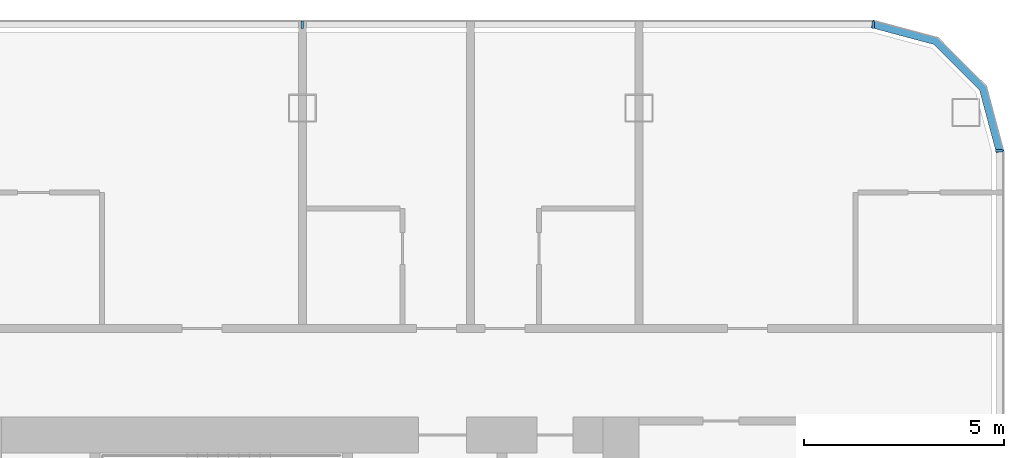
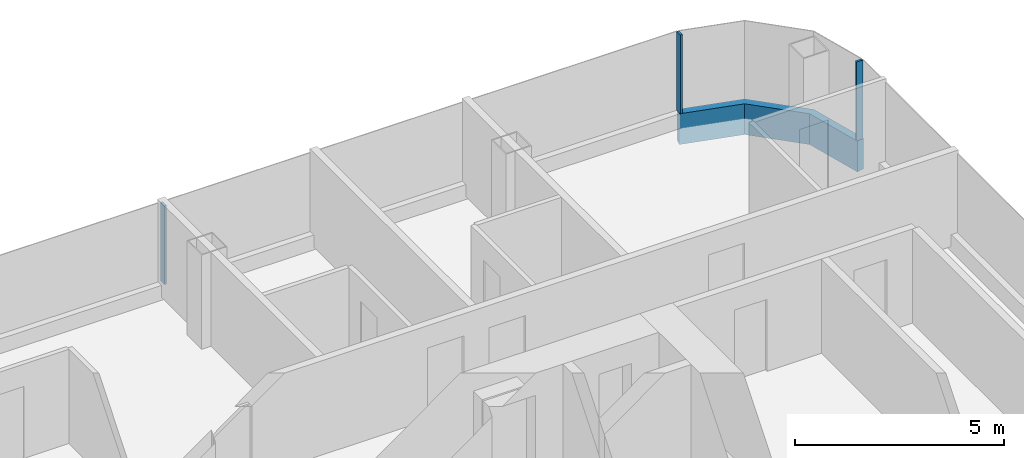
# One storey, part 10 of 26: 4 members, 3 elements without a shape of their own.
"""IFC4 building model written with IfcOpenShell, lengths in metres."""

from ifc_helpers import new_model, si_unit, direction, frame, origin, origin_2d, place, context, subcontext, project, spatial, polyline, rectangle, outline, extrude, material, layer, layer_set, material_profile, profile_set, type_object, element, aggregate, save


model = new_model("IFC4")

# Units and contexts
model_context = context("Model", 3, precision=1e-05, world=origin(), true_north=direction((0.0, 1.0)))
body_context = subcontext(model_context, "Body", "Model", "MODEL_VIEW")
ifc_project = project(units=[si_unit("LENGTHUNIT", "METRE"), si_unit("AREAUNIT", "SQUARE_METRE"), si_unit("VOLUMEUNIT", "CUBIC_METRE"), si_unit("PLANEANGLEUNIT", "RADIAN"), si_unit("MASSUNIT", "GRAM", prefix="KILO")], contexts=[model_context])

# Site, building, storey
site_placement = place(None, origin())
site = spatial("IfcSite", under=ifc_project, at=site_placement, CompositionType="ELEMENT")
building_placement = place(site_placement, origin())
building = spatial("IfcBuilding", under=site, at=building_placement, Name="Hakoniwa Tower and Hamabe Station Hall", CompositionType="ELEMENT")
storey_placement = place(building_placement, frame((0.0, 0.0, 169.39990234375)))
storey = spatial("IfcBuildingStorey", under=building, at=storey_placement, Name="L48", CompositionType="ELEMENT", Elevation=169.39990234375)

# Curtain wall, member
ifc_material_1 = material(Name="Dark low-e laminated glass", Category="glass")
ifc_layer = layer(ifc_material_1, 0.199951171875)
ifc_layer_set = layer_set([ifc_layer], Name="CW-1 UNITISED GUEST")
curtain_wall_type = type_object("IfcCurtainWallType", Name="CW-1 UNITISED GUEST", PredefinedType="NOTDEFINED", material=ifc_layer_set)
curtain_wall_1_placement = place(storey_placement, origin())
curtain_wall_1 = element("IfcCurtainWall", 1, at=curtain_wall_1_placement, inside=storey, type_object=curtain_wall_type, Name="CW-1 curtain wall", PredefinedType="NOTDEFINED")
ifc_material_2 = material(Name="Aluminium 6063-T5 black anodised", Category="aluminium")
ifc_material_profile_1 = material_profile(ifc_material_2, rectangle(XDim=0.199951171875, YDim=0.89990234375, at=origin_2d()), Name="CW SLAB-EDGE BAND 900X200")
ifc_profile_set_1 = profile_set([ifc_material_profile_1], Name="Aluminium 6063-T5 black anodised")
member_type_1 = type_object("IfcMemberType", Name="CW SLAB-EDGE BAND 900X200", PredefinedType="USERDEFINED", material=ifc_profile_set_1)
member_1_placement = place(storey_placement, frame((0.0, 0.0, -0.5498046875)))
member_1 = element("IfcMember", 2, at=member_1_placement, type_object=member_type_1, Name="CW-1 transom", ObjectType="TRANSOM", PredefinedType="USERDEFINED", context=body_context, shape_type="SweptSolid", body=[
    extrude(outline(polyline([(42.699951171875, 15.03955078125), (42.26708984375, 16.6552734375), (41.05517578125, 17.866943359375), (39.439453125, 18.300048828125), (39.3876953125, 18.10693359375), (40.95166015625, 17.687744140625), (42.087646484375, 16.5517578125), (42.5068359375, 14.98779296875), (42.699951171875, 15.03955078125)])), origin(), (0.0, 0.0, 1.0), 0.89990234375),
])
aggregate(curtain_wall_1, [member_1])

curtain_wall_2_placement = place(storey_placement, origin())
curtain_wall_2 = element("IfcCurtainWall", 3, at=curtain_wall_2_placement, inside=storey, type_object=curtain_wall_type, Name="CW-1 curtain wall", PredefinedType="NOTDEFINED")
ifc_material_3 = material(Name="Aluminium 6063-T5 black anodised", Category="aluminium")
ifc_material_profile_2 = material_profile(ifc_material_3, rectangle(XDim=0.06005859375, YDim=0.179931640625, at=origin_2d()), Name="CW-1 MULLION 60X180")
ifc_profile_set_2 = profile_set([ifc_material_profile_2], Name="Aluminium 6063-T5 black anodised")
member_type_2 = type_object("IfcMemberType", Name="CW-1 MULLION 60X180", PredefinedType="MULLION", material=ifc_profile_set_2)
member_2_placement = place(storey_placement, frame((42.58203125, 15.03955078125, 0.35009765625), z_axis=(0.0, 0.0, 1.0), x_axis=(0.0, 1.0, 0.0)))
member_2 = element("IfcMember", 4, at=member_2_placement, type_object=member_type_2, Name="CW-1 mullion", PredefinedType="MULLION", context=body_context, shape_type="SweptSolid", body=[
    extrude(rectangle(XDim=0.06005859375, YDim=0.179931640625, at=origin_2d()), origin(), (0.0, 0.0, 1.0), 2.300048828125),
])
aggregate(curtain_wall_2, [member_2])

# Curtain wall, members
curtain_wall_3_placement = place(storey_placement, origin())
curtain_wall_3 = element("IfcCurtainWall", 5, at=curtain_wall_3_placement, inside=storey, type_object=curtain_wall_type, Name="CW-1 curtain wall", PredefinedType="NOTDEFINED")
member_3_placement = place(storey_placement, frame((39.439453125, 18.181884765625, 0.35009765625), z_axis=(0.0, 0.0, 1.0), x_axis=(-1.0, 0.0, 0.0)))
member_3 = element("IfcMember", 6, at=member_3_placement, type_object=member_type_2, Name="CW-1 mullion", PredefinedType="MULLION", context=body_context, shape_type="SweptSolid", body=[
    extrude(rectangle(XDim=0.06005859375, YDim=0.179931640625, at=origin_2d()), origin(), (0.0, 0.0, 1.0), 2.300048828125),
])
member_4_placement = place(storey_placement, frame((25.199951171875, 18.181884765625, 0.35009765625), z_axis=(0.0, 0.0, 1.0), x_axis=(-1.0, 0.0, 0.0)))
member_4 = element("IfcMember", 7, at=member_4_placement, type_object=member_type_2, Name="CW-1 mullion", PredefinedType="MULLION", context=body_context, shape_type="SweptSolid", body=[
    extrude(rectangle(XDim=0.06005859375, YDim=0.179931640625, at=origin_2d()), origin(), (0.0, 0.0, 1.0), 2.300048828125),
])
aggregate(curtain_wall_3, [member_3, member_4])

save(model, "model.ifc")
